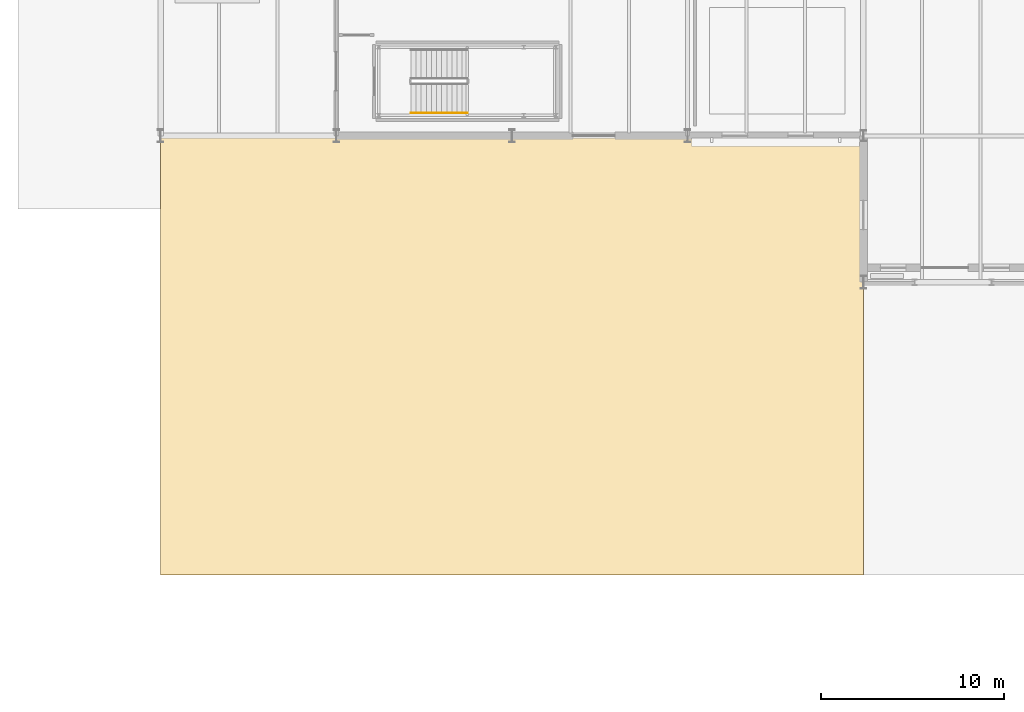
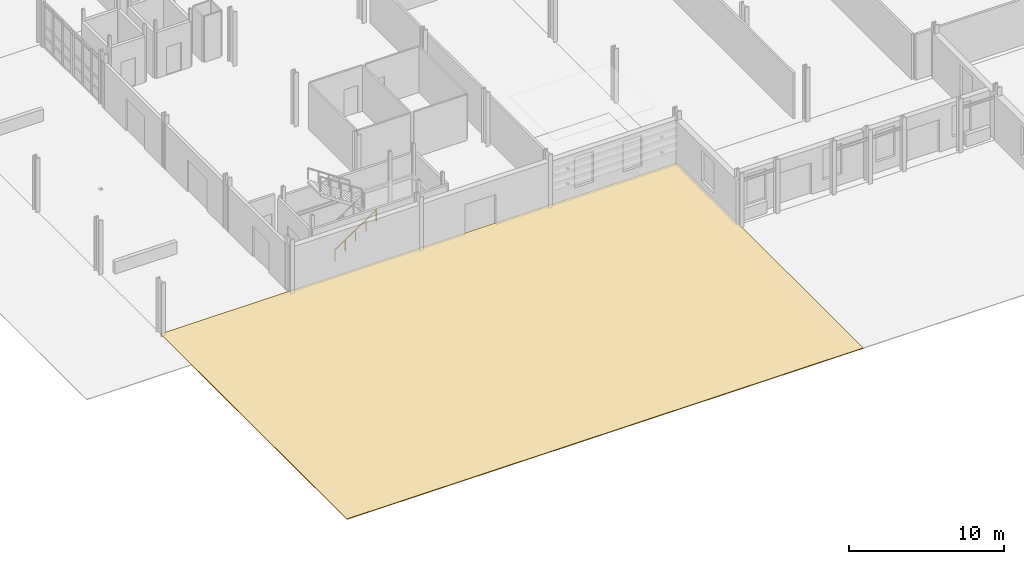
# One storey, part 66 of 78: 1 covering, 1 railing.
"""IFC4 building model written with IfcOpenShell, lengths in metres."""

from ifc_helpers import new_model, si_unit, direction, frame, origin, origin_2d, place, context, subcontext, project, spatial, polyline, circle, outline, extrude, material, layer, layer_set, type_object, element, save


model = new_model("IFC4")

# Units and contexts
model_context = context("Model", 3, precision=1e-05, world=origin(), true_north=direction((0.0, 1.0)))
body_context = subcontext(model_context, "Body", "Model", "MODEL_VIEW")
ifc_project = project(units=[si_unit("LENGTHUNIT", "METRE"), si_unit("AREAUNIT", "SQUARE_METRE"), si_unit("VOLUMEUNIT", "CUBIC_METRE"), si_unit("PLANEANGLEUNIT", "RADIAN"), si_unit("MASSUNIT", "GRAM", prefix="KILO")], contexts=[model_context])

# Site, building, storey
site_placement = place(None, origin())
site = spatial("IfcSite", under=ifc_project, at=site_placement, CompositionType="ELEMENT")
building_placement = place(site_placement, origin())
building = spatial("IfcBuilding", under=site, at=building_placement, Name="Alderhovde Museum", CompositionType="ELEMENT")
storey_placement = place(building_placement, origin())
storey = spatial("IfcBuildingStorey", under=building, at=storey_placement, Name="L00", CompositionType="ELEMENT", Elevation=0.0)

# Covering
ifc_material_1 = material(Name="Bush-Hammered Nordic Granite Forecourt Paving", Category="masonry")
ifc_layer = layer(ifc_material_1, 0.06005859375)
ifc_layer_set = layer_set([ifc_layer], Name="Bush-Hammered Nordic Granite Forecourt Paving")
covering_type = type_object("IfcCoveringType", Name="COV-EXT-GRANITE", PredefinedType="FLOORING", material=ifc_layer_set)
covering_placement = place(storey_placement, frame((0.0, 0.0, -0.06005859375)))
element("IfcCovering", 1, at=covering_placement, inside=storey, type_object=covering_type, Name="South Arrival Forecourt West Granite Plaza", PredefinedType="FLOORING", context=body_context, shape_type="SweptSolid", body=[
    extrude(outline(polyline([(9.60009765625, 24.0), (48.0, 24.0), (48.0, 48.0), (9.60009765625, 48.0), (9.60009765625, 24.0)])), origin(), (0.0, 0.0, 1.0), 0.06005859375),
])

# Railing
ifc_material_2 = material(Name="Brushed Stainless Steel Handrail", Category="steel")
railing_type = type_object("IfcRailingType", Name="RL-HANDRAIL-900", PredefinedType="HANDRAIL", material=ifc_material_2)
railing_placement = place(storey_placement, frame((23.280029296875, 49.25, 0.1875)))
element("IfcRailing", 2, at=railing_placement, inside=storey, type_object=railing_type, Name="L00 ST1 stair handrail 1", PredefinedType="HANDRAIL", context=body_context, shape_type="SweptSolid", body=[
    extrude(circle(Radius=0.02392578125, at=origin_2d()), frame((0.0, 0.0, 0.8759765625), z_axis=(0.830913701846, 0.0, 0.55640131208), x_axis=(0.0, 1.0, 0.0)), (0.0, 0.0, 1.0), 3.706787109375),
    extrude(circle(Radius=0.02099609375, at=origin_2d()), origin(), (0.0, 0.0, 1.0), 0.851806640625),
    extrude(circle(Radius=0.02099609375, at=origin_2d()), frame((0.77001953125, 0.0, 0.515625)), (0.0, 0.0, 1.0), 0.851806640625),
    extrude(circle(Radius=0.02099609375, at=origin_2d()), frame((1.5400390625, 0.0, 1.03125)), (0.0, 0.0, 1.0), 0.851806640625),
    extrude(circle(Radius=0.02099609375, at=origin_2d()), frame((2.31005859375, 0.0, 1.546875)), (0.0, 0.0, 1.0), 0.851806640625),
    extrude(circle(Radius=0.02099609375, at=origin_2d()), frame((3.080078125, 0.0, 2.0625)), (0.0, 0.0, 1.0), 0.851806640625),
])

save(model, "model.ifc")
